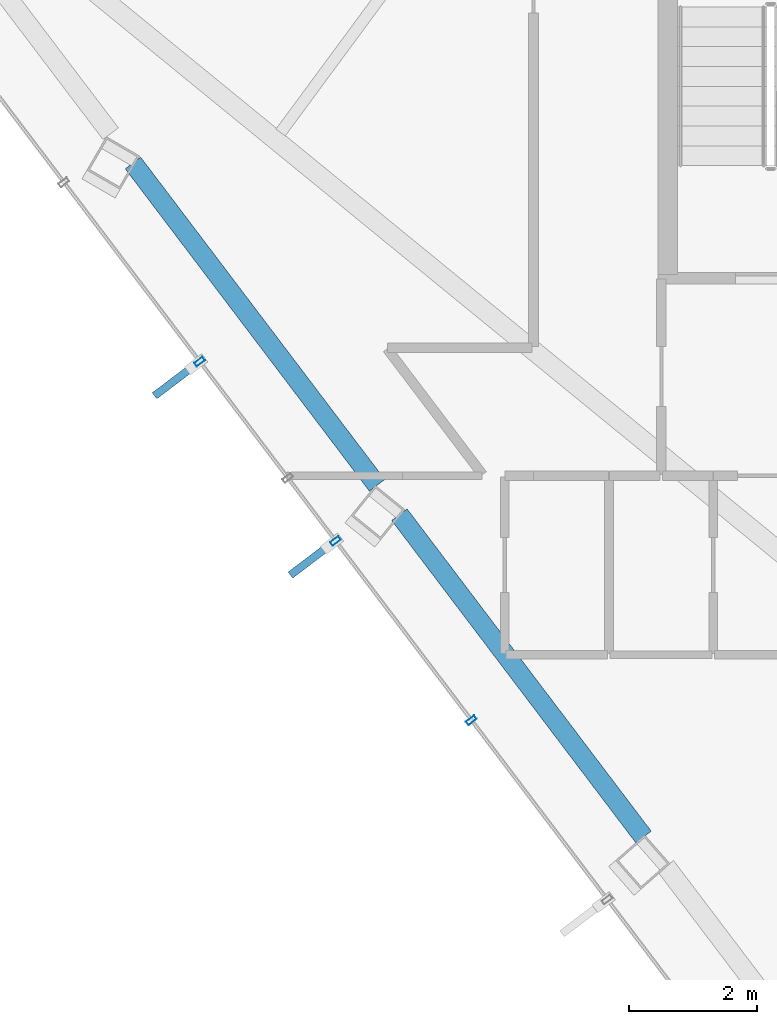
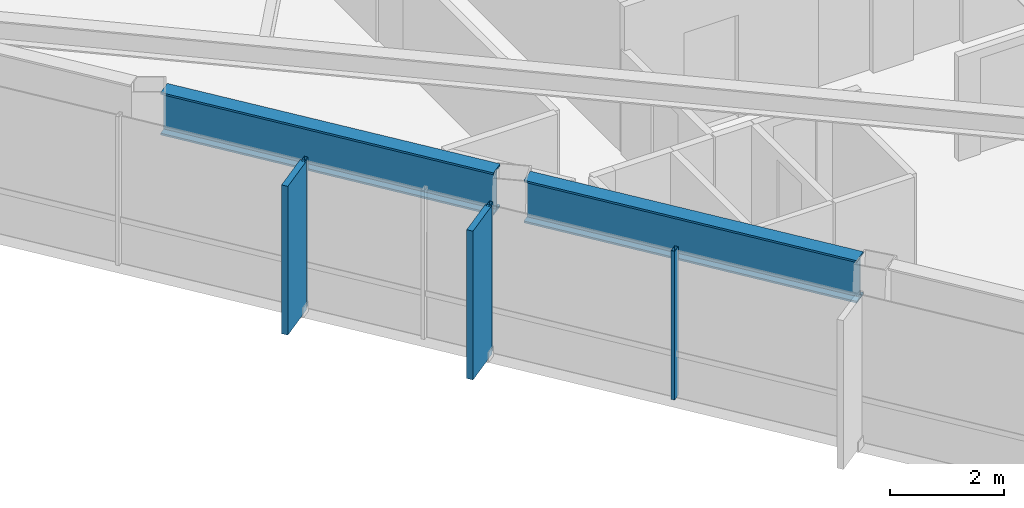
# One storey, part 3 of 27: 5 members, 2 beams, 1 element without a shape of its own.
"""IFC4 building model written with IfcOpenShell, lengths in metres."""

from ifc_helpers import new_model, si_unit, direction, frame, origin, origin_2d, place, context, subcontext, project, spatial, rectangle, hollow_rectangle, i_section, extrude, material, layer, layer_set, material_profile, profile_set, type_object, element, aggregate, save


model = new_model("IFC4")

# Units and contexts
model_context = context("Model", 3, precision=1e-05, world=origin(), true_north=direction((0.0, 1.0)))
body_context = subcontext(model_context, "Body", "Model", "MODEL_VIEW")
ifc_project = project(units=[si_unit("LENGTHUNIT", "METRE"), si_unit("AREAUNIT", "SQUARE_METRE"), si_unit("VOLUMEUNIT", "CUBIC_METRE"), si_unit("PLANEANGLEUNIT", "RADIAN"), si_unit("MASSUNIT", "GRAM", prefix="KILO")], contexts=[model_context])

# Site, building, storey
site_placement = place(None, origin())
site = spatial("IfcSite", under=ifc_project, at=site_placement, CompositionType="ELEMENT")
building_placement = place(site_placement, origin())
building = spatial("IfcBuilding", under=site, at=building_placement, Name="Zarrinselat Tower", CompositionType="ELEMENT")
storey_placement = place(building_placement, frame((0.0, 0.0, 215.56005859375)))
storey = spatial("IfcBuildingStorey", under=building, at=storey_placement, Name="L53", CompositionType="ELEMENT", Elevation=215.56005859375)

# Beams
ifc_material_1 = material(Name="Steel S460M", Category="steel")
ifc_material_profile_1 = material_profile(ifc_material_1, i_section(OverallWidth=0.302001953125, OverallDepth=0.909912109375, WebThickness=0.02099609375, FlangeThickness=0.0400390625, at=origin_2d()), Name="HEM 900")
ifc_profile_set_1 = profile_set([ifc_material_profile_1], Name="Steel S460M")
beam_type = type_object("IfcBeamType", Name="BM-HEM900", PredefinedType="BEAM", material=ifc_profile_set_1)
for number, where, z_axis, x_axis, name in (
    (1, (20.28369140625, 35.041015625, 2.724853515625), (0.603852486481, -0.797096088668, 0.0), (0.797096088668, 0.603852486481, 0.0), "L53 Perimeter Spandrel Girder SP07"),
    (2, (24.451416015625, 29.539794921875, 2.724853515625), (0.603852486481, -0.797096088668, 0.0), (0.797096088668, 0.603852486481, 0.0), "L53 Perimeter Spandrel Girder SP08"),
):
    element("IfcBeam", number, at=place(storey_placement, frame(where, z_axis=z_axis, x_axis=x_axis)), inside=storey, type_object=beam_type, Name=name, PredefinedType="BEAM", context=body_context, shape_type="SweptSolid", body=[
        extrude(i_section(OverallWidth=0.302001953125, OverallDepth=0.909912109375, WebThickness=0.02099609375, FlangeThickness=0.0400390625, at=origin_2d()), origin(), (0.0, 0.0, 1.0), 6.32568359375),
    ])

# Curtain wall, members
ifc_material_2 = material(Name="Extruded Aluminium Alloy EN AW-6063 T6", Category="aluminium")
ifc_layer = layer(ifc_material_2, 0.169921875)
ifc_layer_set = layer_set([ifc_layer], Name="Extruded Aluminium Alloy EN AW-6063 T6")
curtain_wall_type = type_object("IfcCurtainWallType", Name="CWS-RES", PredefinedType="NOTDEFINED", material=ifc_layer_set)
curtain_wall_placement = place(storey_placement, origin())
curtain_wall = element("IfcCurtainWall", 3, at=curtain_wall_placement, inside=storey, type_object=curtain_wall_type, Name="L53 Unitised Curtain Wall CW-L53-E03", PredefinedType="NOTDEFINED")
ifc_material_3 = material(Name="Extruded Aluminium Alloy EN AW-6063 T6", Category="aluminium")
ifc_material_profile_2 = material_profile(ifc_material_3, hollow_rectangle(XDim=0.070068359375, YDim=0.159912109375, WallThickness=0.00390625, at=origin_2d()), Name="RHS 160x70x4")
ifc_profile_set_2 = profile_set([ifc_material_profile_2], Name="Extruded Aluminium Alloy EN AW-6063 T6")
member_type_1 = type_object("IfcMemberType", Name="MEM-CW-MUL2", PredefinedType="MULLION", material=ifc_profile_set_2)
member_1_placement = place(storey_placement, frame((21.32763671875, 31.933349609375, 0.0), z_axis=(0.0, 0.0, 1.0), x_axis=(0.603858850791, -0.797091267247, 0.0)))
member_1 = element("IfcMember", 4, at=member_1_placement, type_object=member_type_1, Name="CW-L53-E03 Mullion 3", PredefinedType="MULLION", context=body_context, shape_type="SweptSolid", body=[
    extrude(hollow_rectangle(XDim=0.070068359375, YDim=0.159912109375, WallThickness=0.00390625, at=origin_2d()), origin(), (0.0, 0.0, 1.0), 3.179931640625),
])
member_2_placement = place(storey_placement, frame((23.452392578125, 29.12890625, 0.0), z_axis=(0.0, 0.0, 1.0), x_axis=(0.603858850791, -0.797091267247, 0.0)))
member_2 = element("IfcMember", 5, at=member_2_placement, type_object=member_type_1, Name="CW-L53-E03 Mullion 5", PredefinedType="MULLION", context=body_context, shape_type="SweptSolid", body=[
    extrude(hollow_rectangle(XDim=0.070068359375, YDim=0.159912109375, WallThickness=0.00390625, at=origin_2d()), origin(), (0.0, 0.0, 1.0), 3.179931640625),
])
member_3_placement = place(storey_placement, frame((25.576904296875, 26.32421875, 0.0), z_axis=(0.0, 0.0, 1.0), x_axis=(0.603858850791, -0.797091267247, 0.0)))
member_3 = element("IfcMember", 6, at=member_3_placement, type_object=member_type_1, Name="CW-L53-E03 Mullion 6", PredefinedType="MULLION", context=body_context, shape_type="SweptSolid", body=[
    extrude(hollow_rectangle(XDim=0.070068359375, YDim=0.159912109375, WallThickness=0.00390625, at=origin_2d()), origin(), (0.0, 0.0, 1.0), 3.179931640625),
])
ifc_material_4 = material(Name="Honed Cream Travertine Stone", Category="masonry")
ifc_material_profile_3 = material_profile(ifc_material_4, rectangle(XDim=0.1201171875, YDim=0.85009765625, at=origin_2d()), Name="FIN 850x120")
ifc_profile_set_3 = profile_set([ifc_material_profile_3], Name="Honed Cream Travertine Stone")
member_type_2 = type_object("IfcMemberType", Name="MEM-STONE-FIN", PredefinedType="USERDEFINED", material=ifc_profile_set_3)
member_4_placement = place(storey_placement, frame((20.9609375, 31.655517578125, 0.0), z_axis=(0.0, 0.0, 1.0), x_axis=(-0.603858850791, 0.797091267247, 0.0)))
member_4 = element("IfcMember", 7, at=member_4_placement, type_object=member_type_2, Name="L53 Stone Shading Fin CW-L53-E03-03", ObjectType="FIN", PredefinedType="USERDEFINED", context=body_context, shape_type="SweptSolid", body=[
    extrude(rectangle(XDim=0.1201171875, YDim=0.85009765625, at=origin_2d()), origin(), (0.0, 0.0, 1.0), 3.179931640625),
])
member_5_placement = place(storey_placement, frame((23.085693359375, 28.85107421875, 0.0), z_axis=(0.0, 0.0, 1.0), x_axis=(-0.603858850791, 0.797091267247, 0.0)))
member_5 = element("IfcMember", 8, at=member_5_placement, type_object=member_type_2, Name="L53 Stone Shading Fin CW-L53-E03-05", ObjectType="FIN", PredefinedType="USERDEFINED", context=body_context, shape_type="SweptSolid", body=[
    extrude(rectangle(XDim=0.1201171875, YDim=0.85009765625, at=origin_2d()), origin(), (0.0, 0.0, 1.0), 3.179931640625),
])
aggregate(curtain_wall, [member_1, member_4, member_2, member_5, member_3])

save(model, "model.ifc")
